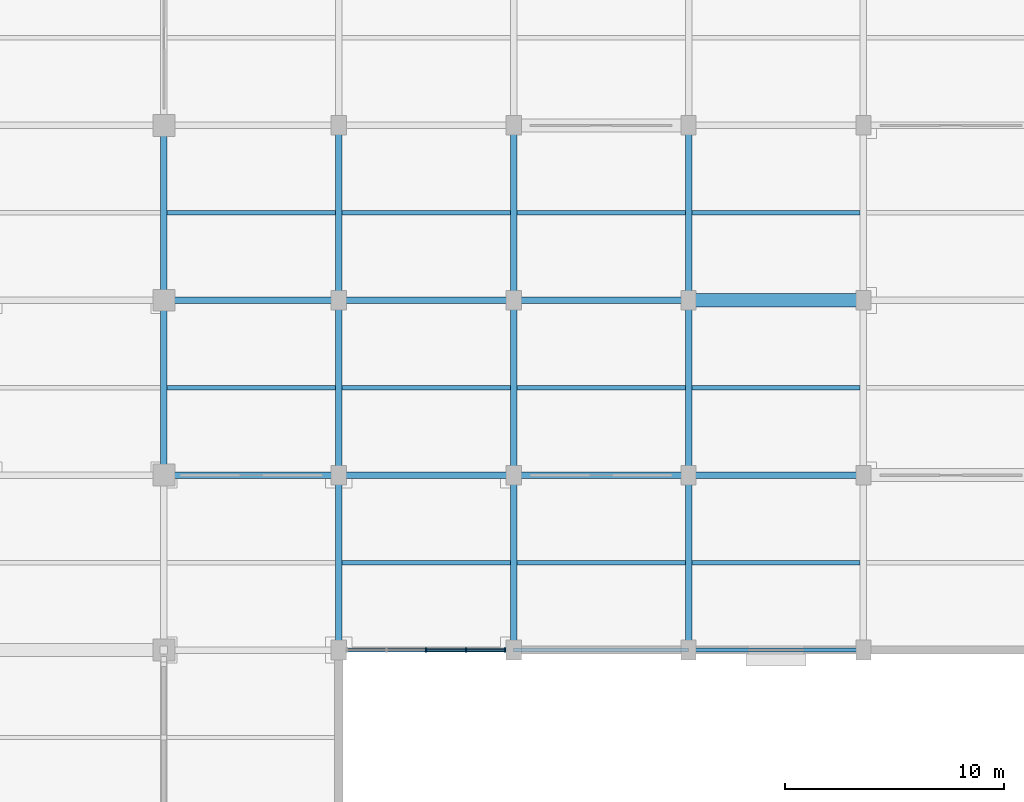
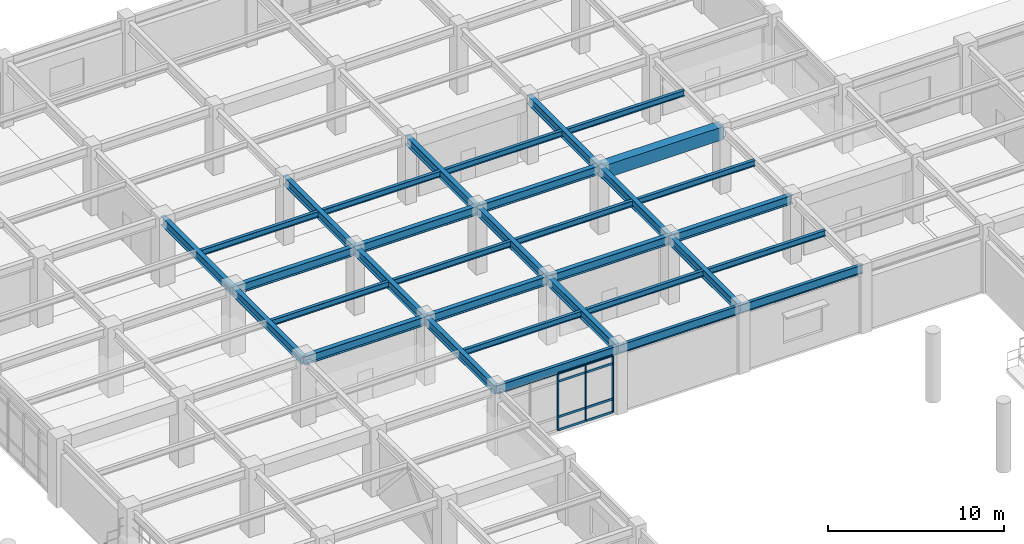
# One storey, part 50 of 117: 33 beams, 11 members, 1 element without a shape of its own.
"""IFC4 building model written with IfcOpenShell, lengths in metres."""

from ifc_helpers import new_model, si_unit, direction, frame, origin, origin_2d, place, context, subcontext, project, spatial, rectangle, i_section, extrude, material, layer, layer_set, material_profile, profile_set, type_object, element, aggregate, save


model = new_model("IFC4")

# Units and contexts
model_context = context("Model", 3, precision=1e-05, world=origin(), true_north=direction((0.0, 1.0)))
body_context = subcontext(model_context, "Body", "Model", "MODEL_VIEW")
ifc_project = project(units=[si_unit("LENGTHUNIT", "METRE"), si_unit("AREAUNIT", "SQUARE_METRE"), si_unit("VOLUMEUNIT", "CUBIC_METRE"), si_unit("PLANEANGLEUNIT", "RADIAN"), si_unit("MASSUNIT", "GRAM", prefix="KILO")], contexts=[model_context])

# Site, building, storey
site_placement = place(None, origin())
site = spatial("IfcSite", under=ifc_project, at=site_placement, CompositionType="ELEMENT")
building_placement = place(site_placement, origin())
building = spatial("IfcBuilding", under=site, at=building_placement, Name="Haebicheon Civic Stadium", CompositionType="ELEMENT")
storey_placement = place(building_placement, frame((0.0, 0.0, 4.800048828125)))
storey = spatial("IfcBuildingStorey", under=building, at=storey_placement, Name="L02", CompositionType="ELEMENT", Elevation=4.800048828125)

# Beams
ifc_material_1 = material(Name="Concrete C40/50", Category="concrete")
ifc_material_profile_1 = material_profile(ifc_material_1, rectangle(XDim=0.60009765625, YDim=0.89990234375, at=origin_2d()), Name="RC-BM-600x900")
ifc_profile_set_1 = profile_set([ifc_material_profile_1], Name="Concrete C40/50")
beam_type_1 = type_object("IfcBeamType", Name="BM-RC-600x900", PredefinedType="BEAM", material=ifc_profile_set_1)
beam_placement = place(storey_placement, frame((184.0, 152.0, 4.070068359375), z_axis=(1.0, 0.0, 0.0), x_axis=(0.0, 1.0, 0.0)))
element("IfcBeam", 1, at=beam_placement, inside=storey, type_object=beam_type_1, material=ifc_profile_set_1, Name="L02 beam V/24-25", PredefinedType="BEAM", context=body_context, shape_type="SweptSolid", body=[
    extrude(rectangle(XDim=0.60009765625, YDim=0.89990234375, at=origin_2d()), origin(), (0.0, 0.0, 1.0), 8.0),
])
ifc_material_2 = material(Name="Steel SM355 (S355)", Category="steel")
ifc_material_profile_2 = material_profile(ifc_material_2, i_section(OverallWidth=0.300048828125, OverallDepth=0.60009765625, WebThickness=0.011962890625, FlangeThickness=0.02001953125, at=origin_2d()), Name="H-600x300x12x20")
ifc_profile_set_2 = profile_set([ifc_material_profile_2], Name="Steel SM355 (S355)")
beam_type_2 = type_object("IfcBeamType", Name="BM-ST-H600A", PredefinedType="BEAM", material=ifc_profile_set_2)
for number, where, z_axis, x_axis, name in (
    (2, (160.0, 144.0, 4.219970703125), (0.0, 1.0, 0.0), (-1.0, 0.0, 0.0), "L02 girder 21/U-V"),
    (3, (160.0, 152.0, 4.219970703125), (0.0, 1.0, 0.0), (-1.0, 0.0, 0.0), "L02 girder 21/V-W"),
    (4, (168.0, 136.0, 4.219970703125), (0.0, 1.0, 0.0), (-1.0, 0.0, 0.0), "L02 girder 22/T-U"),
    (5, (168.0, 144.0, 4.219970703125), (0.0, 1.0, 0.0), (-1.0, 0.0, 0.0), "L02 girder 22/U-V"),
    (6, (168.0, 152.0, 4.219970703125), (0.0, 1.0, 0.0), (-1.0, 0.0, 0.0), "L02 girder 22/V-W"),
    (7, (176.0, 136.0, 4.219970703125), (0.0, 1.0, 0.0), (-1.0, 0.0, 0.0), "L02 girder 23/T-U"),
    (8, (176.0, 144.0, 4.219970703125), (0.0, 1.0, 0.0), (-1.0, 0.0, 0.0), "L02 girder 23/U-V"),
    (9, (176.0, 152.0, 4.219970703125), (0.0, 1.0, 0.0), (-1.0, 0.0, 0.0), "L02 girder 23/V-W"),
    (10, (184.0, 136.0, 4.219970703125), (0.0, 1.0, 0.0), (-1.0, 0.0, 0.0), "L02 girder 24/T-U"),
    (11, (184.0, 144.0, 4.219970703125), (0.0, 1.0, 0.0), (-1.0, 0.0, 0.0), "L02 girder 24/U-V"),
    (12, (184.0, 152.0, 4.219970703125), (0.0, 1.0, 0.0), (-1.0, 0.0, 0.0), "L02 girder 24/V-W"),
    (13, (160.0, 144.0, 4.219970703125), (1.0, 0.0, 0.0), (0.0, 1.0, 0.0), "L02 beam U/21-22"),
    (14, (160.0, 152.0, 4.219970703125), (1.0, 0.0, 0.0), (0.0, 1.0, 0.0), "L02 beam V/21-22"),
    (15, (168.0, 144.0, 4.219970703125), (1.0, 0.0, 0.0), (0.0, 1.0, 0.0), "L02 beam U/22-23"),
    (16, (168.0, 152.0, 4.219970703125), (1.0, 0.0, 0.0), (0.0, 1.0, 0.0), "L02 beam V/22-23"),
    (17, (176.0, 144.0, 4.219970703125), (1.0, 0.0, 0.0), (0.0, 1.0, 0.0), "L02 beam U/23-24"),
    (18, (176.0, 152.0, 4.219970703125), (1.0, 0.0, 0.0), (0.0, 1.0, 0.0), "L02 beam V/23-24"),
    (19, (184.0, 144.0, 4.219970703125), (1.0, 0.0, 0.0), (0.0, 1.0, 0.0), "L02 beam U/24-25"),
):
    element("IfcBeam", number, at=place(storey_placement, frame(where, z_axis=z_axis, x_axis=x_axis)), inside=storey, type_object=beam_type_2, material=ifc_profile_set_2, Name=name, PredefinedType="BEAM", context=body_context, shape_type="SweptSolid", body=[
        extrude(i_section(OverallWidth=0.300048828125, OverallDepth=0.60009765625, WebThickness=0.011962890625, FlangeThickness=0.02001953125, at=origin_2d()), origin(), (0.0, 0.0, 1.0), 8.0),
    ])

# Curtain wall, members
ifc_material_3 = material(Name="Anodised aluminium and laminated glass", Category="aluminium")
ifc_layer = layer(ifc_material_3, 0.179931640625, Name="Anodised aluminium and laminated glass")
ifc_layer_set = layer_set([ifc_layer], Name="Anodised aluminium and laminated glass")
curtain_wall_type = type_object("IfcCurtainWallType", Name="CW-7300x3910", PredefinedType="NOTDEFINED", material=ifc_layer_set)
curtain_wall_placement = place(storey_placement, origin())
curtain_wall = element("IfcCurtainWall", 20, at=curtain_wall_placement, inside=storey, type_object=curtain_wall_type, material=ifc_layer_set, Name="L02 unitised curtain wall 057", PredefinedType="NOTDEFINED")
ifc_material_4 = material(Name="Anodised aluminium 6063-T6", Category="aluminium")
ifc_material_profile_3 = material_profile(ifc_material_4, rectangle(XDim=0.070068359375, YDim=0.199951171875, at=origin_2d()), Name="ALU-MULL-70x200")
ifc_profile_set_3 = profile_set([ifc_material_profile_3], Name="Anodised aluminium 6063-T6")
member_type_1 = type_object("IfcMemberType", Name="CWM-200x70", PredefinedType="MULLION", material=ifc_profile_set_3)
member_1_placement = place(storey_placement, frame((172.0, 136.0, 0.0), z_axis=(0.0, 0.0, 1.0), x_axis=(1.0, 0.0, 0.0)))
member_1 = element("IfcMember", 21, at=member_1_placement, type_object=member_type_1, material=ifc_profile_set_3, Name="CW-L02-057 vertical mullion 3", PredefinedType="MULLION", context=body_context, shape_type="SweptSolid", body=[
    extrude(rectangle(XDim=0.070068359375, YDim=0.199951171875, at=origin_2d()), origin(), (0.0, 0.0, 1.0), 3.909912109375),
])
member_2_placement = place(storey_placement, frame((173.824951171875, 136.0, 0.0), z_axis=(0.0, 0.0, 1.0), x_axis=(1.0, 0.0, 0.0)))
member_2 = element("IfcMember", 22, at=member_2_placement, type_object=member_type_1, material=ifc_profile_set_3, Name="CW-L02-057 vertical mullion 4", PredefinedType="MULLION", context=body_context, shape_type="SweptSolid", body=[
    extrude(rectangle(XDim=0.070068359375, YDim=0.199951171875, at=origin_2d()), origin(), (0.0, 0.0, 1.0), 3.909912109375),
])
member_3_placement = place(storey_placement, frame((175.614990234375, 136.0, 0.0), z_axis=(0.0, 0.0, 1.0), x_axis=(1.0, 0.0, 0.0)))
member_3 = element("IfcMember", 23, at=member_3_placement, type_object=member_type_1, material=ifc_profile_set_3, Name="CW-L02-057 vertical mullion 5", PredefinedType="MULLION", context=body_context, shape_type="SweptSolid", body=[
    extrude(rectangle(XDim=0.070068359375, YDim=0.199951171875, at=origin_2d()), origin(), (0.0, 0.0, 1.0), 3.909912109375),
])
ifc_material_5 = material(Name="Anodised aluminium 6063-T6", Category="aluminium")
ifc_material_profile_4 = material_profile(ifc_material_5, rectangle(XDim=0.070068359375, YDim=0.14990234375, at=origin_2d()), Name="ALU-TRAN-70x150")
ifc_profile_set_4 = profile_set([ifc_material_profile_4], Name="Anodised aluminium 6063-T6")
member_type_2 = type_object("IfcMemberType", Name="CWT-150x70", PredefinedType="NOTDEFINED", material=ifc_profile_set_4)
member_4_placement = place(storey_placement, frame((172.034912109375, 136.0, 0.0), z_axis=(1.0, 0.0, 0.0), x_axis=(0.0, 1.0, 0.0)))
member_4 = element("IfcMember", 24, at=member_4_placement, type_object=member_type_2, material=ifc_profile_set_4, Name="CW-L02-057 horizontal transom 3.1", ObjectType="TRANSOM", PredefinedType="USERDEFINED", context=body_context, shape_type="SweptSolid", body=[
    extrude(rectangle(XDim=0.070068359375, YDim=0.14990234375, at=origin_2d()), origin(), (0.0, 0.0, 1.0), 1.755126953125),
])
member_5_placement = place(storey_placement, frame((172.034912109375, 136.0, 0.89990234375), z_axis=(1.0, 0.0, 0.0), x_axis=(0.0, 1.0, 0.0)))
member_5 = element("IfcMember", 25, at=member_5_placement, type_object=member_type_2, material=ifc_profile_set_4, Name="CW-L02-057 horizontal transom 3.2", ObjectType="TRANSOM", PredefinedType="USERDEFINED", context=body_context, shape_type="SweptSolid", body=[
    extrude(rectangle(XDim=0.070068359375, YDim=0.14990234375, at=origin_2d()), origin(), (0.0, 0.0, 1.0), 1.755126953125),
])
member_6_placement = place(storey_placement, frame((172.034912109375, 136.0, 3.35986328125), z_axis=(1.0, 0.0, 0.0), x_axis=(0.0, 1.0, 0.0)))
member_6 = element("IfcMember", 26, at=member_6_placement, type_object=member_type_2, material=ifc_profile_set_4, Name="CW-L02-057 horizontal transom 3.3", ObjectType="TRANSOM", PredefinedType="USERDEFINED", context=body_context, shape_type="SweptSolid", body=[
    extrude(rectangle(XDim=0.070068359375, YDim=0.14990234375, at=origin_2d()), origin(), (0.0, 0.0, 1.0), 1.755126953125),
])
member_7_placement = place(storey_placement, frame((172.034912109375, 136.0, 3.909912109375), z_axis=(1.0, 0.0, 0.0), x_axis=(0.0, 1.0, 0.0)))
member_7 = element("IfcMember", 27, at=member_7_placement, type_object=member_type_2, material=ifc_profile_set_4, Name="CW-L02-057 horizontal transom 3.4", ObjectType="TRANSOM", PredefinedType="USERDEFINED", context=body_context, shape_type="SweptSolid", body=[
    extrude(rectangle(XDim=0.070068359375, YDim=0.14990234375, at=origin_2d()), origin(), (0.0, 0.0, 1.0), 1.755126953125),
])
member_8_placement = place(storey_placement, frame((173.860107421875, 136.0, 0.0), z_axis=(1.0, 0.0, 0.0), x_axis=(0.0, 1.0, 0.0)))
member_8 = element("IfcMember", 28, at=member_8_placement, type_object=member_type_2, material=ifc_profile_set_4, Name="CW-L02-057 horizontal transom 4.1", ObjectType="TRANSOM", PredefinedType="USERDEFINED", context=body_context, shape_type="SweptSolid", body=[
    extrude(rectangle(XDim=0.070068359375, YDim=0.14990234375, at=origin_2d()), origin(), (0.0, 0.0, 1.0), 1.719970703125),
])
member_9_placement = place(storey_placement, frame((173.860107421875, 136.0, 0.89990234375), z_axis=(1.0, 0.0, 0.0), x_axis=(0.0, 1.0, 0.0)))
member_9 = element("IfcMember", 29, at=member_9_placement, type_object=member_type_2, material=ifc_profile_set_4, Name="CW-L02-057 horizontal transom 4.2", ObjectType="TRANSOM", PredefinedType="USERDEFINED", context=body_context, shape_type="SweptSolid", body=[
    extrude(rectangle(XDim=0.070068359375, YDim=0.14990234375, at=origin_2d()), origin(), (0.0, 0.0, 1.0), 1.719970703125),
])
member_10_placement = place(storey_placement, frame((173.860107421875, 136.0, 3.35986328125), z_axis=(1.0, 0.0, 0.0), x_axis=(0.0, 1.0, 0.0)))
member_10 = element("IfcMember", 30, at=member_10_placement, type_object=member_type_2, material=ifc_profile_set_4, Name="CW-L02-057 horizontal transom 4.3", ObjectType="TRANSOM", PredefinedType="USERDEFINED", context=body_context, shape_type="SweptSolid", body=[
    extrude(rectangle(XDim=0.070068359375, YDim=0.14990234375, at=origin_2d()), origin(), (0.0, 0.0, 1.0), 1.719970703125),
])
member_11_placement = place(storey_placement, frame((173.860107421875, 136.0, 3.909912109375), z_axis=(1.0, 0.0, 0.0), x_axis=(0.0, 1.0, 0.0)))
member_11 = element("IfcMember", 31, at=member_11_placement, type_object=member_type_2, material=ifc_profile_set_4, Name="CW-L02-057 horizontal transom 4.4", ObjectType="TRANSOM", PredefinedType="USERDEFINED", context=body_context, shape_type="SweptSolid", body=[
    extrude(rectangle(XDim=0.070068359375, YDim=0.14990234375, at=origin_2d()), origin(), (0.0, 0.0, 1.0), 1.719970703125),
])
aggregate(curtain_wall, [member_1, member_2, member_3, member_4, member_5, member_6, member_7, member_8, member_9, member_10, member_11])

# Beams
ifc_material_6 = material(Name="Steel SM355 (S355)", Category="steel")
ifc_material_profile_5 = material_profile(ifc_material_6, i_section(OverallWidth=0.199951171875, OverallDepth=0.39990234375, WebThickness=0.008056640625, FlangeThickness=0.012939453125, at=origin_2d()), Name="H-400x200x8x13")
ifc_profile_set_5 = profile_set([ifc_material_profile_5], Name="Steel SM355 (S355)")
beam_type_3 = type_object("IfcBeamType", Name="JST-ST-H400", PredefinedType="JOIST", material=ifc_profile_set_5)
for number, where, z_axis, x_axis, name in (
    (32, (160.14990234375, 148.0, 4.320068359375), (1.0, 0.0, 0.0), (0.0, 1.0, 0.0), "L02 secondary joist 20-18"),
    (33, (160.14990234375, 156.0, 4.320068359375), (1.0, 0.0, 0.0), (0.0, 1.0, 0.0), "L02 secondary joist 20-19"),
    (34, (168.14990234375, 140.0, 4.320068359375), (1.0, 0.0, 0.0), (0.0, 1.0, 0.0), "L02 secondary joist 21-17"),
    (35, (168.14990234375, 148.0, 4.320068359375), (1.0, 0.0, 0.0), (0.0, 1.0, 0.0), "L02 secondary joist 21-18"),
    (36, (168.14990234375, 156.0, 4.320068359375), (1.0, 0.0, 0.0), (0.0, 1.0, 0.0), "L02 secondary joist 21-19"),
    (37, (176.14990234375, 140.0, 4.320068359375), (1.0, 0.0, 0.0), (0.0, 1.0, 0.0), "L02 secondary joist 22-17"),
    (38, (176.14990234375, 148.0, 4.320068359375), (1.0, 0.0, 0.0), (0.0, 1.0, 0.0), "L02 secondary joist 22-18"),
    (39, (176.14990234375, 156.0, 4.320068359375), (1.0, 0.0, 0.0), (0.0, 1.0, 0.0), "L02 secondary joist 22-19"),
    (40, (184.14990234375, 140.0, 4.320068359375), (1.0, 0.0, 0.0), (0.0, 1.0, 0.0), "L02 secondary joist 23-17"),
    (41, (184.14990234375, 148.0, 4.320068359375), (1.0, 0.0, 0.0), (0.0, 1.0, 0.0), "L02 secondary joist 23-18"),
    (42, (184.14990234375, 156.0, 4.320068359375), (1.0, 0.0, 0.0), (0.0, 1.0, 0.0), "L02 secondary joist 23-19"),
):
    element("IfcBeam", number, at=place(storey_placement, frame(where, z_axis=z_axis, x_axis=x_axis)), inside=storey, type_object=beam_type_3, material=ifc_profile_set_5, Name=name, PredefinedType="JOIST", context=body_context, shape_type="SweptSolid", body=[
        extrude(i_section(OverallWidth=0.199951171875, OverallDepth=0.39990234375, WebThickness=0.008056640625, FlangeThickness=0.012939453125, at=origin_2d()), origin(), (0.0, 0.0, 1.0), 7.7001953125),
    ])
ifc_material_7 = material(Name="Steel SM355 (S355)", Category="steel")
ifc_material_profile_6 = material_profile(ifc_material_7, i_section(OverallWidth=0.199951171875, OverallDepth=0.60009765625, WebThickness=0.010986328125, FlangeThickness=0.01708984375, at=origin_2d()), Name="H-600x200x11x17")
ifc_profile_set_6 = profile_set([ifc_material_profile_6], Name="Steel SM355 (S355)")
beam_type_4 = type_object("IfcBeamType", Name="SPD-ST-H600B", PredefinedType="SPANDREL", material=ifc_profile_set_6)
for number, where, z_axis, x_axis, name in (
    (43, (168.0, 136.0, 4.219970703125), (1.0, 0.0, 0.0), (0.0, 1.0, 0.0), "L02 beam T/22-23"),
    (44, (176.0, 136.0, 4.219970703125), (1.0, 0.0, 0.0), (0.0, 1.0, 0.0), "L02 beam T/23-24"),
    (45, (184.0, 136.0, 4.219970703125), (1.0, 0.0, 0.0), (0.0, 1.0, 0.0), "L02 beam T/24-25"),
):
    element("IfcBeam", number, at=place(storey_placement, frame(where, z_axis=z_axis, x_axis=x_axis)), inside=storey, type_object=beam_type_4, material=ifc_profile_set_6, Name=name, PredefinedType="SPANDREL", context=body_context, shape_type="SweptSolid", body=[
        extrude(i_section(OverallWidth=0.199951171875, OverallDepth=0.60009765625, WebThickness=0.010986328125, FlangeThickness=0.01708984375, at=origin_2d()), origin(), (0.0, 0.0, 1.0), 8.0),
    ])

save(model, "model.ifc")
